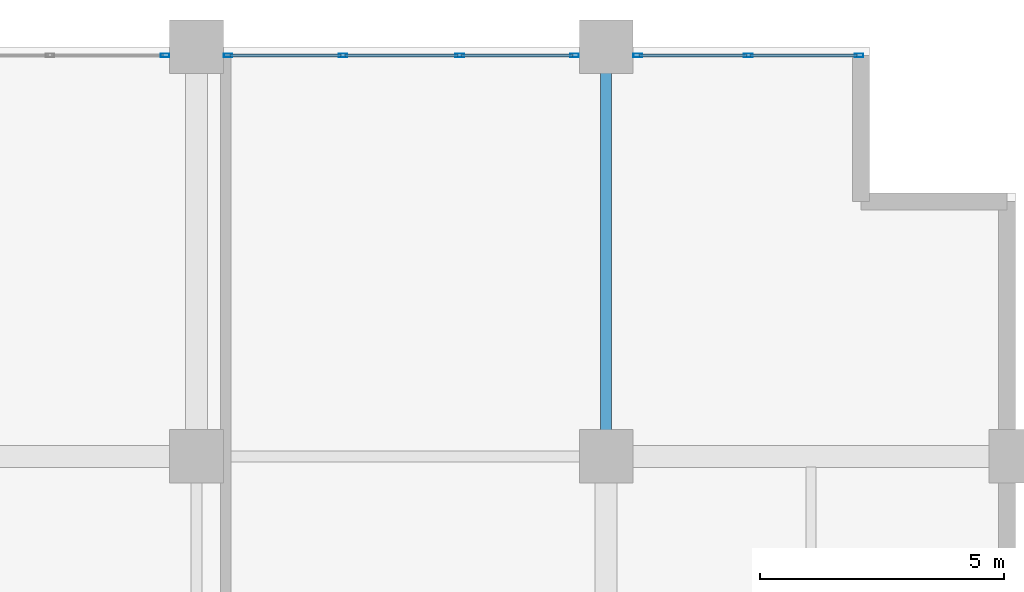
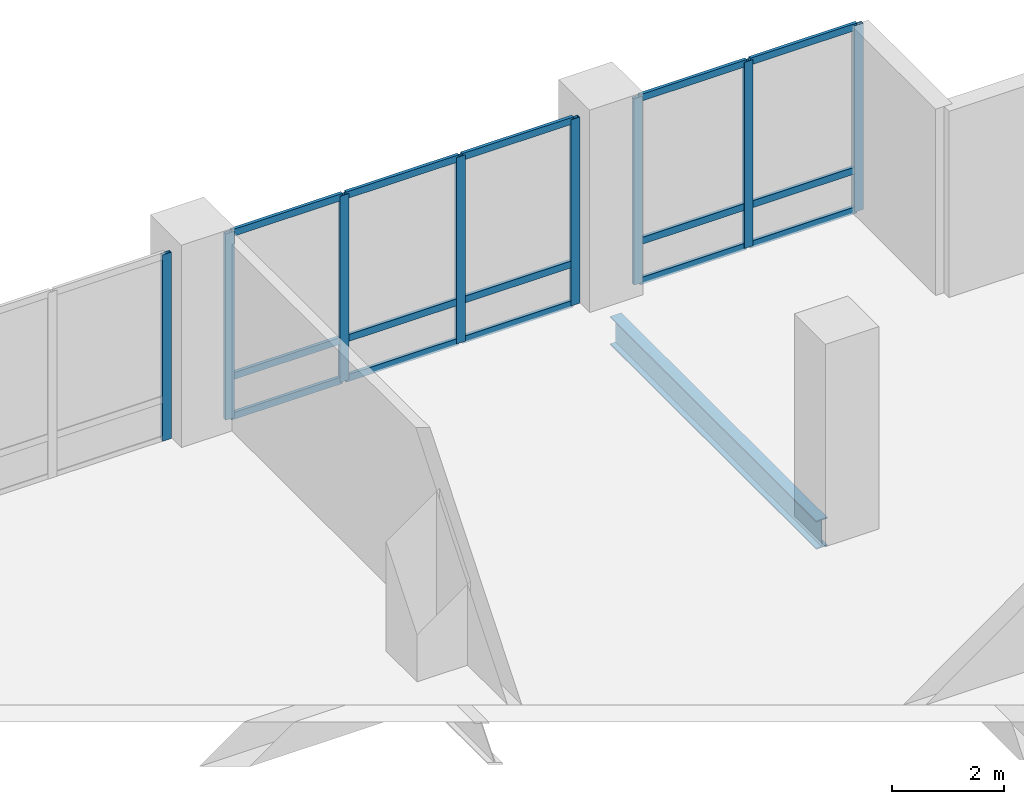
# One storey, part 11 of 25: 23 members, 1 beam, 3 elements without a shape of their own.
"""IFC4 building model written with IfcOpenShell, lengths in metres."""

from ifc_helpers import new_model, si_unit, direction, frame, origin, origin_2d, place, context, subcontext, project, spatial, hollow_rectangle, i_section, extrude, material, layer, layer_set, material_profile, profile_set, type_object, element, aggregate, save


model = new_model("IFC4")

# Units and contexts
model_context = context("Model", 3, precision=1e-05, world=origin(), true_north=direction((0.0, 1.0)))
body_context = subcontext(model_context, "Body", "Model", "MODEL_VIEW")
ifc_project = project(units=[si_unit("LENGTHUNIT", "METRE"), si_unit("AREAUNIT", "SQUARE_METRE"), si_unit("VOLUMEUNIT", "CUBIC_METRE"), si_unit("PLANEANGLEUNIT", "RADIAN"), si_unit("MASSUNIT", "GRAM", prefix="KILO")], contexts=[model_context])

# Site, building, storey
site_placement = place(None, origin())
site = spatial("IfcSite", under=ifc_project, at=site_placement, CompositionType="ELEMENT")
building_placement = place(site_placement, origin())
building = spatial("IfcBuilding", under=site, at=building_placement, Name="Koriwani Terraces Tower", CompositionType="ELEMENT")
storey_placement = place(building_placement, frame((0.0, 0.0, 157.60009765625)))
storey = spatial("IfcBuildingStorey", under=building, at=storey_placement, Name="L38", CompositionType="ELEMENT", Elevation=157.60009765625)

# Curtain wall, member
ifc_material_1 = material(Name="Anodised Bronze Aluminium", Category="aluminium")
ifc_layer = layer(ifc_material_1, 0.169921875, Name="Anodised Bronze Aluminium")
ifc_layer_set = layer_set([ifc_layer], Name="Anodised Bronze Aluminium")
curtain_wall_type = type_object("IfcCurtainWallType", Name="CW_RES_ZONE3", PredefinedType="NOTDEFINED", material=ifc_layer_set)
curtain_wall_1_placement = place(storey_placement, origin())
curtain_wall_1 = element("IfcCurtainWall", 1, at=curtain_wall_1_placement, inside=storey, type_object=curtain_wall_type, Name="L38 Unitised Curtain Wall (N_TIP) Bay 2", PredefinedType="NOTDEFINED")
ifc_material_profile_1 = material_profile(ifc_material_1, hollow_rectangle(XDim=0.074951171875, YDim=0.179931640625, WallThickness=0.006103515625, at=origin_2d()), Name="Anodised Bronze Aluminium", Category="LoadBearing")
ifc_profile_set_1 = profile_set([ifc_material_profile_1], Name="Anodised Bronze Aluminium")
member_type_1 = type_object("IfcMemberType", Name="CW_MULLION_180X75", PredefinedType="MULLION", material=ifc_profile_set_1)
member_1_placement = place(storey_placement, frame((16.152587890625, 75.425048828125, 0.0), z_axis=(0.0, 0.0, 1.0), x_axis=(0.0, 1.0, 0.0)))
member_1 = element("IfcMember", 2, at=member_1_placement, type_object=member_type_1, Name="CW-Z3 mullion 4", PredefinedType="MULLION", context=body_context, shape_type="SweptSolid", body=[
    extrude(hollow_rectangle(XDim=0.074951171875, YDim=0.179931640625, WallThickness=0.006103515625, at=origin_2d()), origin(), (0.0, 0.0, 1.0), 4.0498046875),
])
aggregate(curtain_wall_1, [member_1])

# Curtain wall, members
curtain_wall_2_placement = place(storey_placement, origin())
curtain_wall_2 = element("IfcCurtainWall", 3, at=curtain_wall_2_placement, inside=storey, type_object=curtain_wall_type, Name="L38 Unitised Curtain Wall (N_TIP) Bay 3", PredefinedType="NOTDEFINED")
member_2_placement = place(storey_placement, frame((17.447509765625, 75.425048828125, 0.0), z_axis=(0.0, 0.0, 1.0), x_axis=(0.0, 1.0, 0.0)))
member_2 = element("IfcMember", 4, at=member_2_placement, type_object=member_type_1, Name="CW-Z3 mullion 1", PredefinedType="MULLION", context=body_context, shape_type="SweptSolid", body=[
    extrude(hollow_rectangle(XDim=0.074951171875, YDim=0.179931640625, WallThickness=0.006103515625, at=origin_2d()), origin(), (0.0, 0.0, 1.0), 4.0498046875),
])
member_3_placement = place(storey_placement, frame((19.80322265625, 75.425048828125, 0.0), z_axis=(0.0, 0.0, 1.0), x_axis=(0.0, 1.0, 0.0)))
member_3 = element("IfcMember", 5, at=member_3_placement, type_object=member_type_1, Name="CW-Z3 mullion 2", PredefinedType="MULLION", context=body_context, shape_type="SweptSolid", body=[
    extrude(hollow_rectangle(XDim=0.074951171875, YDim=0.179931640625, WallThickness=0.006103515625, at=origin_2d()), origin(), (0.0, 0.0, 1.0), 4.0498046875),
])
member_4_placement = place(storey_placement, frame((22.19677734375, 75.425048828125, 0.0), z_axis=(0.0, 0.0, 1.0), x_axis=(0.0, 1.0, 0.0)))
member_4 = element("IfcMember", 6, at=member_4_placement, type_object=member_type_1, Name="CW-Z3 mullion 3", PredefinedType="MULLION", context=body_context, shape_type="SweptSolid", body=[
    extrude(hollow_rectangle(XDim=0.074951171875, YDim=0.179931640625, WallThickness=0.006103515625, at=origin_2d()), origin(), (0.0, 0.0, 1.0), 4.0498046875),
])
member_5_placement = place(storey_placement, frame((24.552490234375, 75.425048828125, 0.0), z_axis=(0.0, 0.0, 1.0), x_axis=(0.0, 1.0, 0.0)))
member_5 = element("IfcMember", 7, at=member_5_placement, type_object=member_type_1, Name="CW-Z3 mullion 4", PredefinedType="MULLION", context=body_context, shape_type="SweptSolid", body=[
    extrude(hollow_rectangle(XDim=0.074951171875, YDim=0.179931640625, WallThickness=0.006103515625, at=origin_2d()), origin(), (0.0, 0.0, 1.0), 4.0498046875),
])

curtain_wall_3_placement = place(storey_placement, origin())
curtain_wall_3 = element("IfcCurtainWall", 8, at=curtain_wall_3_placement, inside=storey, type_object=curtain_wall_type, Name="L38 Unitised Curtain Wall (N_TIP) Bay 4", PredefinedType="NOTDEFINED")
member_6_placement = place(storey_placement, frame((25.847412109375, 75.425048828125, 0.0), z_axis=(0.0, 0.0, 1.0), x_axis=(0.0, 1.0, 0.0)))
member_6 = element("IfcMember", 9, at=member_6_placement, type_object=member_type_1, Name="CW-Z3 mullion 1", PredefinedType="MULLION", context=body_context, shape_type="SweptSolid", body=[
    extrude(hollow_rectangle(XDim=0.074951171875, YDim=0.179931640625, WallThickness=0.006103515625, at=origin_2d()), origin(), (0.0, 0.0, 1.0), 4.0498046875),
])
member_7_placement = place(storey_placement, frame((28.117431640625, 75.425048828125, 0.0), z_axis=(0.0, 0.0, 1.0), x_axis=(0.0, 1.0, 0.0)))
member_7 = element("IfcMember", 10, at=member_7_placement, type_object=member_type_1, Name="CW-Z3 mullion 2", PredefinedType="MULLION", context=body_context, shape_type="SweptSolid", body=[
    extrude(hollow_rectangle(XDim=0.074951171875, YDim=0.179931640625, WallThickness=0.006103515625, at=origin_2d()), origin(), (0.0, 0.0, 1.0), 4.0498046875),
])
member_8_placement = place(storey_placement, frame((30.387451171875, 75.425048828125, 0.0), z_axis=(0.0, 0.0, 1.0), x_axis=(0.0, 1.0, 0.0)))
member_8 = element("IfcMember", 11, at=member_8_placement, type_object=member_type_1, Name="CW-Z3 mullion 3", PredefinedType="MULLION", context=body_context, shape_type="SweptSolid", body=[
    extrude(hollow_rectangle(XDim=0.074951171875, YDim=0.179931640625, WallThickness=0.006103515625, at=origin_2d()), origin(), (0.0, 0.0, 1.0), 4.0498046875),
])

# Member
ifc_material_profile_2 = material_profile(ifc_material_1, hollow_rectangle(XDim=0.06494140625, YDim=0.14990234375, WallThickness=0.0048828125, at=origin_2d()), Name="Anodised Bronze Aluminium", Category="LoadBearing")
ifc_profile_set_2 = profile_set([ifc_material_profile_2], Name="Anodised Bronze Aluminium")
member_type_2 = type_object("IfcMemberType", Name="CW_TRANSOM_150X65", PredefinedType="USERDEFINED", material=ifc_profile_set_2)
member_9_placement = place(storey_placement, frame((17.485107421875, 75.425048828125, 0.032470703125), z_axis=(1.0, 0.0, 0.0), x_axis=(0.0, 1.0, 0.0)))
member_9 = element("IfcMember", 12, at=member_9_placement, type_object=member_type_2, Name="CW-Z3 transom 1.1", ObjectType="TRANSOM", PredefinedType="USERDEFINED", context=body_context, shape_type="SweptSolid", body=[
    extrude(hollow_rectangle(XDim=0.06494140625, YDim=0.14990234375, WallThickness=0.0048828125, at=origin_2d()), origin(), (0.0, 0.0, 1.0), 2.28076171875),
])

member_10_placement = place(storey_placement, frame((17.485107421875, 75.425048828125, 0.89990234375), z_axis=(1.0, 0.0, 0.0), x_axis=(0.0, 1.0, 0.0)))
member_10 = element("IfcMember", 13, at=member_10_placement, type_object=member_type_2, Name="CW-Z3 transom 1.2", ObjectType="TRANSOM", PredefinedType="USERDEFINED", context=body_context, shape_type="SweptSolid", body=[
    extrude(hollow_rectangle(XDim=0.06494140625, YDim=0.14990234375, WallThickness=0.0048828125, at=origin_2d()), origin(), (0.0, 0.0, 1.0), 2.28076171875),
])

member_11_placement = place(storey_placement, frame((17.485107421875, 75.425048828125, 4.017333984375), z_axis=(1.0, 0.0, 0.0), x_axis=(0.0, 1.0, 0.0)))
member_11 = element("IfcMember", 14, at=member_11_placement, type_object=member_type_2, Name="CW-Z3 transom 1.3", ObjectType="TRANSOM", PredefinedType="USERDEFINED", context=body_context, shape_type="SweptSolid", body=[
    extrude(hollow_rectangle(XDim=0.06494140625, YDim=0.14990234375, WallThickness=0.0048828125, at=origin_2d()), origin(), (0.0, 0.0, 1.0), 2.28076171875),
])

member_12_placement = place(storey_placement, frame((19.8408203125, 75.425048828125, 0.032470703125), z_axis=(1.0, 0.0, 0.0), x_axis=(0.0, 1.0, 0.0)))
member_12 = element("IfcMember", 15, at=member_12_placement, type_object=member_type_2, Name="CW-Z3 transom 2.1", ObjectType="TRANSOM", PredefinedType="USERDEFINED", context=body_context, shape_type="SweptSolid", body=[
    extrude(hollow_rectangle(XDim=0.06494140625, YDim=0.14990234375, WallThickness=0.0048828125, at=origin_2d()), origin(), (0.0, 0.0, 1.0), 2.318359375),
])

member_13_placement = place(storey_placement, frame((19.8408203125, 75.425048828125, 0.89990234375), z_axis=(1.0, 0.0, 0.0), x_axis=(0.0, 1.0, 0.0)))
member_13 = element("IfcMember", 16, at=member_13_placement, type_object=member_type_2, Name="CW-Z3 transom 2.2", ObjectType="TRANSOM", PredefinedType="USERDEFINED", context=body_context, shape_type="SweptSolid", body=[
    extrude(hollow_rectangle(XDim=0.06494140625, YDim=0.14990234375, WallThickness=0.0048828125, at=origin_2d()), origin(), (0.0, 0.0, 1.0), 2.318359375),
])

member_14_placement = place(storey_placement, frame((19.8408203125, 75.425048828125, 4.017333984375), z_axis=(1.0, 0.0, 0.0), x_axis=(0.0, 1.0, 0.0)))
member_14 = element("IfcMember", 17, at=member_14_placement, type_object=member_type_2, Name="CW-Z3 transom 2.3", ObjectType="TRANSOM", PredefinedType="USERDEFINED", context=body_context, shape_type="SweptSolid", body=[
    extrude(hollow_rectangle(XDim=0.06494140625, YDim=0.14990234375, WallThickness=0.0048828125, at=origin_2d()), origin(), (0.0, 0.0, 1.0), 2.318359375),
])

member_15_placement = place(storey_placement, frame((22.234130859375, 75.425048828125, 0.032470703125), z_axis=(1.0, 0.0, 0.0), x_axis=(0.0, 1.0, 0.0)))
member_15 = element("IfcMember", 18, at=member_15_placement, type_object=member_type_2, Name="CW-Z3 transom 3.1", ObjectType="TRANSOM", PredefinedType="USERDEFINED", context=body_context, shape_type="SweptSolid", body=[
    extrude(hollow_rectangle(XDim=0.06494140625, YDim=0.14990234375, WallThickness=0.0048828125, at=origin_2d()), origin(), (0.0, 0.0, 1.0), 2.28076171875),
])

member_16_placement = place(storey_placement, frame((22.234130859375, 75.425048828125, 0.89990234375), z_axis=(1.0, 0.0, 0.0), x_axis=(0.0, 1.0, 0.0)))
member_16 = element("IfcMember", 19, at=member_16_placement, type_object=member_type_2, Name="CW-Z3 transom 3.2", ObjectType="TRANSOM", PredefinedType="USERDEFINED", context=body_context, shape_type="SweptSolid", body=[
    extrude(hollow_rectangle(XDim=0.06494140625, YDim=0.14990234375, WallThickness=0.0048828125, at=origin_2d()), origin(), (0.0, 0.0, 1.0), 2.28076171875),
])

member_17_placement = place(storey_placement, frame((22.234130859375, 75.425048828125, 4.017333984375), z_axis=(1.0, 0.0, 0.0), x_axis=(0.0, 1.0, 0.0)))
member_17 = element("IfcMember", 20, at=member_17_placement, type_object=member_type_2, Name="CW-Z3 transom 3.3", ObjectType="TRANSOM", PredefinedType="USERDEFINED", context=body_context, shape_type="SweptSolid", body=[
    extrude(hollow_rectangle(XDim=0.06494140625, YDim=0.14990234375, WallThickness=0.0048828125, at=origin_2d()), origin(), (0.0, 0.0, 1.0), 2.28076171875),
])

aggregate(curtain_wall_2, [member_2, member_3, member_4, member_5, member_9, member_10, member_11, member_12, member_13, member_14, member_15, member_16, member_17])

member_18_placement = place(storey_placement, frame((25.885009765625, 75.425048828125, 0.032470703125), z_axis=(1.0, 0.0, 0.0), x_axis=(0.0, 1.0, 0.0)))
member_18 = element("IfcMember", 21, at=member_18_placement, type_object=member_type_2, Name="CW-Z3 transom 1.1", ObjectType="TRANSOM", PredefinedType="USERDEFINED", context=body_context, shape_type="SweptSolid", body=[
    extrude(hollow_rectangle(XDim=0.06494140625, YDim=0.14990234375, WallThickness=0.0048828125, at=origin_2d()), origin(), (0.0, 0.0, 1.0), 2.195068359375),
])

member_19_placement = place(storey_placement, frame((25.885009765625, 75.425048828125, 0.89990234375), z_axis=(1.0, 0.0, 0.0), x_axis=(0.0, 1.0, 0.0)))
member_19 = element("IfcMember", 22, at=member_19_placement, type_object=member_type_2, Name="CW-Z3 transom 1.2", ObjectType="TRANSOM", PredefinedType="USERDEFINED", context=body_context, shape_type="SweptSolid", body=[
    extrude(hollow_rectangle(XDim=0.06494140625, YDim=0.14990234375, WallThickness=0.0048828125, at=origin_2d()), origin(), (0.0, 0.0, 1.0), 2.195068359375),
])

member_20_placement = place(storey_placement, frame((25.885009765625, 75.425048828125, 4.017333984375), z_axis=(1.0, 0.0, 0.0), x_axis=(0.0, 1.0, 0.0)))
member_20 = element("IfcMember", 23, at=member_20_placement, type_object=member_type_2, Name="CW-Z3 transom 1.3", ObjectType="TRANSOM", PredefinedType="USERDEFINED", context=body_context, shape_type="SweptSolid", body=[
    extrude(hollow_rectangle(XDim=0.06494140625, YDim=0.14990234375, WallThickness=0.0048828125, at=origin_2d()), origin(), (0.0, 0.0, 1.0), 2.195068359375),
])

member_21_placement = place(storey_placement, frame((28.155029296875, 75.425048828125, 0.032470703125), z_axis=(1.0, 0.0, 0.0), x_axis=(0.0, 1.0, 0.0)))
member_21 = element("IfcMember", 24, at=member_21_placement, type_object=member_type_2, Name="CW-Z3 transom 2.1", ObjectType="TRANSOM", PredefinedType="USERDEFINED", context=body_context, shape_type="SweptSolid", body=[
    extrude(hollow_rectangle(XDim=0.06494140625, YDim=0.14990234375, WallThickness=0.0048828125, at=origin_2d()), origin(), (0.0, 0.0, 1.0), 2.195068359375),
])

member_22_placement = place(storey_placement, frame((28.155029296875, 75.425048828125, 0.89990234375), z_axis=(1.0, 0.0, 0.0), x_axis=(0.0, 1.0, 0.0)))
member_22 = element("IfcMember", 25, at=member_22_placement, type_object=member_type_2, Name="CW-Z3 transom 2.2", ObjectType="TRANSOM", PredefinedType="USERDEFINED", context=body_context, shape_type="SweptSolid", body=[
    extrude(hollow_rectangle(XDim=0.06494140625, YDim=0.14990234375, WallThickness=0.0048828125, at=origin_2d()), origin(), (0.0, 0.0, 1.0), 2.195068359375),
])

member_23_placement = place(storey_placement, frame((28.155029296875, 75.425048828125, 4.017333984375), z_axis=(1.0, 0.0, 0.0), x_axis=(0.0, 1.0, 0.0)))
member_23 = element("IfcMember", 26, at=member_23_placement, type_object=member_type_2, Name="CW-Z3 transom 2.3", ObjectType="TRANSOM", PredefinedType="USERDEFINED", context=body_context, shape_type="SweptSolid", body=[
    extrude(hollow_rectangle(XDim=0.06494140625, YDim=0.14990234375, WallThickness=0.0048828125, at=origin_2d()), origin(), (0.0, 0.0, 1.0), 2.195068359375),
])

aggregate(curtain_wall_3, [member_6, member_7, member_8, member_18, member_19, member_20, member_21, member_22, member_23])

# Beam
ifc_material_2 = material(Name="Steel ASTM A572 Grade 50", Category="steel")
ifc_material_profile_3 = material_profile(ifc_material_2, i_section(OverallWidth=0.23095703125, OverallDepth=0.616943359375, WebThickness=0.015380859375, FlangeThickness=0.0244140625, at=origin_2d()), Name="Steel ASTM A572 Grade 50", Category="LoadBearing")
ifc_profile_set_3 = profile_set([ifc_material_profile_3], Name="Steel ASTM A572 Grade 50")
beam_type = type_object("IfcBeamType", Name="STEEL_BEAM_W610X195", PredefinedType="BEAM", material=ifc_profile_set_3)
beam_placement = place(storey_placement, frame((25.199951171875, 67.72998046875, -0.55859375), z_axis=(0.0, 1.0, 0.0), x_axis=(-1.0, 0.0, 0.0)))
element("IfcBeam", 27, at=beam_placement, inside=storey, type_object=beam_type, Name="L38 Grid Beam 4 (67.2-75.6m)", PredefinedType="BEAM", context=body_context, shape_type="SweptSolid", body=[
    extrude(i_section(OverallWidth=0.23095703125, OverallDepth=0.616943359375, WebThickness=0.015380859375, FlangeThickness=0.0244140625, at=origin_2d()), origin(), (0.0, 0.0, 1.0), 7.340087890625),
])

save(model, "model.ifc")
